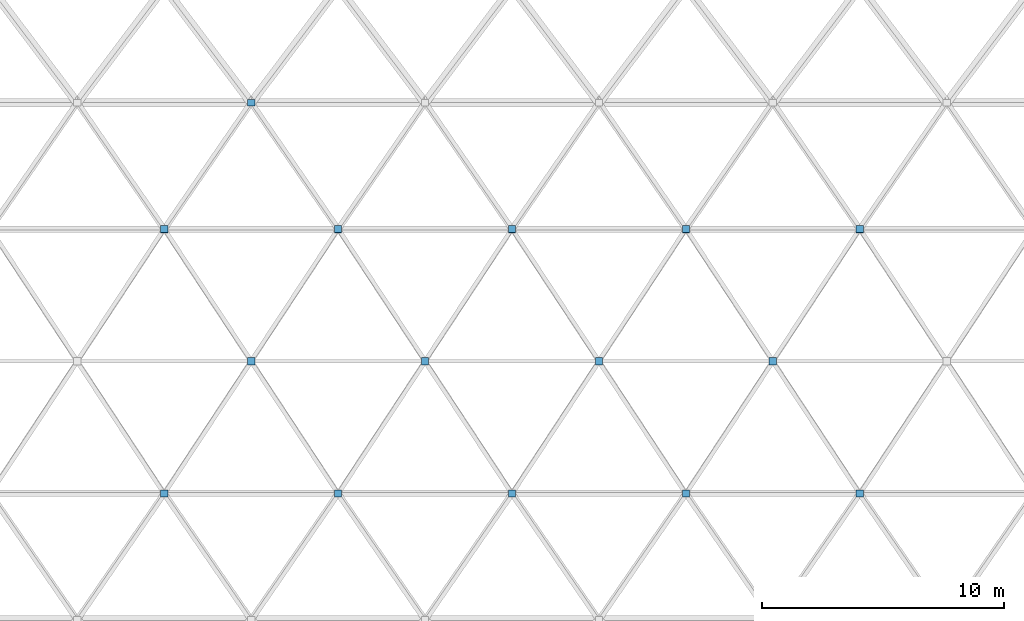
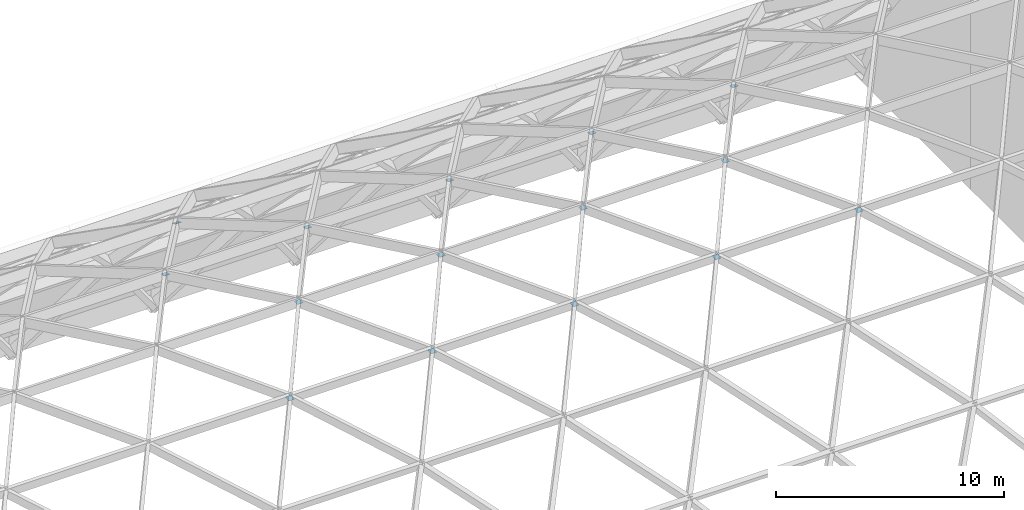
# One storey, part 45 of 52: 15 discrete accessories.
"""IFC4 building model written with IfcOpenShell, lengths in metres."""

from ifc_helpers import new_model, si_unit, direction, frame, origin, origin_2d, place, context, subcontext, project, spatial, rectangle, extrude, material, material_profile, profile_set, type_object, element, save


model = new_model("IFC4")

# Units and contexts
model_context = context("Model", 3, precision=1e-05, world=origin(), true_north=direction((0.0, 1.0)))
body_context = subcontext(model_context, "Body", "Model", "MODEL_VIEW")
ifc_project = project(units=[si_unit("LENGTHUNIT", "METRE"), si_unit("AREAUNIT", "SQUARE_METRE"), si_unit("VOLUMEUNIT", "CUBIC_METRE"), si_unit("PLANEANGLEUNIT", "RADIAN"), si_unit("MASSUNIT", "GRAM", prefix="KILO")], contexts=[model_context])

# Site, building, storey
site_placement = place(None, origin())
site = spatial("IfcSite", under=ifc_project, at=site_placement, CompositionType="ELEMENT")
building_placement = place(site_placement, origin())
building = spatial("IfcBuilding", under=site, at=building_placement, Name="Vermilion Court Aquatics Centre", CompositionType="ELEMENT")
storey_placement = place(building_placement, frame((0.0, 0.0, 12.0)))
storey = spatial("IfcBuildingStorey", under=building, at=storey_placement, Name="L02", CompositionType="ELEMENT", Elevation=12.0)

# Discrete accessories
ifc_material = material(Name="Stainless steel 1.4547, 1.4529 or 1.4565", Category="steel")
ifc_material_profile = material_profile(ifc_material, rectangle(XDim=0.300048828125, YDim=0.300048828125, at=origin_2d()), Name="PL 12 x 300 x 300")
ifc_profile_set = profile_set([ifc_material_profile], Name="Stainless steel 1.4547, 1.4529 or 1.4565")
discrete_accessory_type = type_object("IfcDiscreteAccessoryType", Name="Gridshell node plate", PredefinedType="BRACKET", material=ifc_profile_set)
for number, where, z_axis, x_axis, name in (
    (1, (97.199951171875, 34.13134765625, 17.676025390625), (0.0, -0.219038342307, 0.975716252094), (1.0, 0.0, 0.0), "Gridshell node plate NP1 05-12"),
    (2, (104.39990234375, 34.13134765625, 17.676025390625), (0.0, -0.219038342307, 0.975716252094), (1.0, 0.0, 0.0), "Gridshell node plate NP1 05-13"),
    (3, (111.60009765625, 34.13134765625, 17.676025390625), (0.0, -0.219038342307, 0.975716252094), (1.0, 0.0, 0.0), "Gridshell node plate NP1 05-14"),
    (4, (118.800048828125, 34.13134765625, 17.676025390625), (0.0, -0.219038342307, 0.975716252094), (1.0, 0.0, 0.0), "Gridshell node plate NP1 05-15"),
    (5, (126.0, 34.13134765625, 17.676025390625), (0.0, -0.219038342307, 0.975716252094), (1.0, 0.0, 0.0), "Gridshell node plate NP1 05-16"),
    (6, (100.800048828125, 39.60009765625, 18.243896484375), (0.0, 0.0, 1.0), (1.0, 0.0, 0.0), "Gridshell node plate NP1 06-12"),
    (7, (108.0, 39.60009765625, 18.243896484375), (0.0, 0.0, 1.0), (1.0, 0.0, 0.0), "Gridshell node plate NP1 06-13"),
    (8, (115.199951171875, 39.60009765625, 18.243896484375), (0.0, 0.0, 1.0), (1.0, 0.0, 0.0), "Gridshell node plate NP1 06-14"),
    (9, (122.39990234375, 39.60009765625, 18.243896484375), (0.0, 0.0, 1.0), (1.0, 0.0, 0.0), "Gridshell node plate NP1 06-15"),
    (10, (97.199951171875, 45.06884765625, 17.676025390625), (0.0, 0.199960011996, 0.97980405878), (-1.0, 0.0, 0.0), "Gridshell node plate NP1 07-12"),
    (11, (104.39990234375, 45.06884765625, 17.676025390625), (0.0, 0.199960011996, 0.97980405878), (-1.0, 0.0, 0.0), "Gridshell node plate NP1 07-13"),
    (12, (111.60009765625, 45.06884765625, 17.676025390625), (0.0, 0.199960011996, 0.97980405878), (-1.0, 0.0, 0.0), "Gridshell node plate NP1 07-14"),
    (13, (118.800048828125, 45.06884765625, 17.676025390625), (0.0, 0.199960011996, 0.97980405878), (-1.0, 0.0, 0.0), "Gridshell node plate NP1 07-15"),
    (14, (126.0, 45.06884765625, 17.676025390625), (0.0, 0.199960011996, 0.97980405878), (-1.0, 0.0, 0.0), "Gridshell node plate NP1 07-16"),
):
    element("IfcDiscreteAccessory", number, at=place(storey_placement, frame(where, z_axis=z_axis, x_axis=x_axis)), inside=storey, type_object=discrete_accessory_type, Name=name, PredefinedType="BRACKET", context=body_context, shape_type="SweptSolid", body=[
        extrude(rectangle(XDim=0.300048828125, YDim=0.300048828125, at=origin_2d()), origin(), (0.0, 0.0, 1.0), 0.01220703125),
    ])
discrete_accessory_placement = place(storey_placement, frame((100.800048828125, 50.297607421875, 16.00146484375), z_axis=(0.0, 0.406138466053, 0.91381154862), x_axis=(-1.0, 0.0, 0.0)))
element("IfcDiscreteAccessory", 15, at=discrete_accessory_placement, inside=storey, type_object=discrete_accessory_type, Name="Gridshell node plate NP1 08-12", PredefinedType="BRACKET", context=body_context, shape_type="SweptSolid", body=[
    extrude(rectangle(XDim=0.300048828125, YDim=0.300048828125, at=origin_2d()), origin(), (0.0, 0.0, 1.0), 0.011962890625),
])

save(model, "model.ifc")
